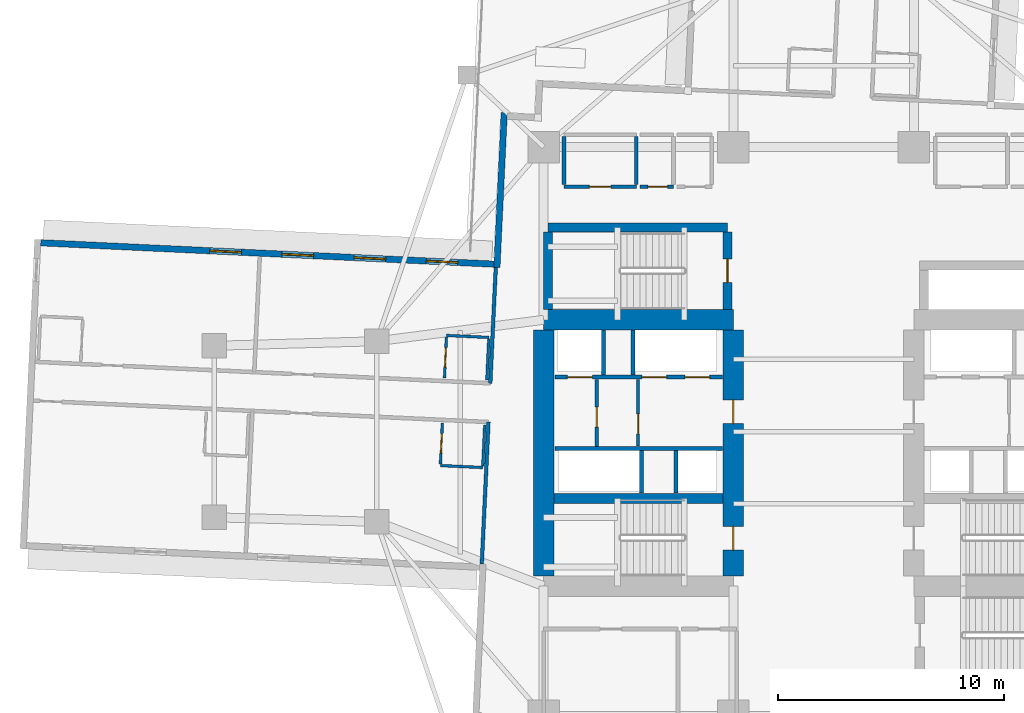
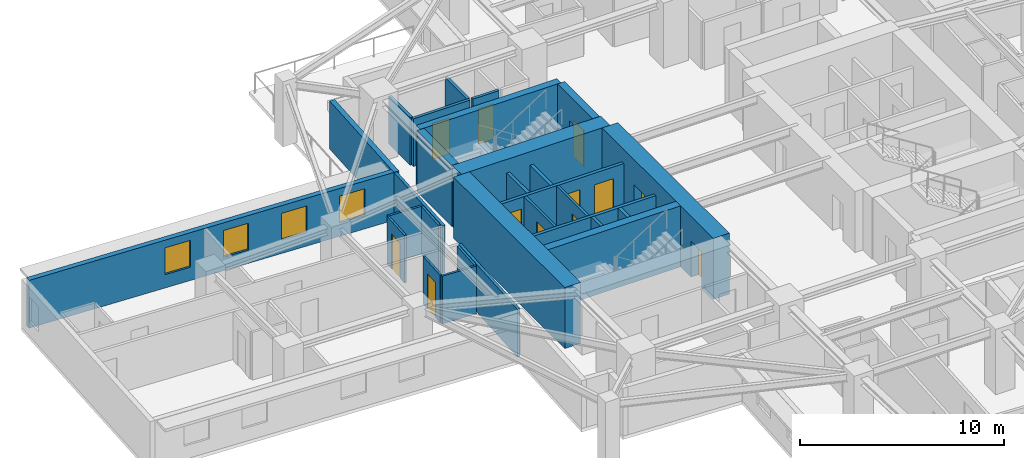
# One storey, part 5 of 13: 29 walls, 12 doors, 4 windows, 16 openings.
"""IFC4 building model written with IfcOpenShell, lengths in metres."""

from ifc_helpers import new_model, si_unit, direction, frame, frame_2d, origin, place, context, subcontext, project, spatial, rectangle, extrude, material, layer, layer_set, type_object, element, fill, save


model = new_model("IFC4")

# Units and contexts
model_context = context("Model", 3, precision=1e-05, world=origin(), true_north=direction((0.0, 1.0)))
body_context = subcontext(model_context, "Body", "Model", "MODEL_VIEW")
ifc_project = project(units=[si_unit("LENGTHUNIT", "METRE"), si_unit("AREAUNIT", "SQUARE_METRE"), si_unit("VOLUMEUNIT", "CUBIC_METRE"), si_unit("PLANEANGLEUNIT", "RADIAN"), si_unit("MASSUNIT", "GRAM", prefix="KILO")], contexts=[model_context])

# Site, building, storey
site_placement = place(None, origin())
site = spatial("IfcSite", under=ifc_project, at=site_placement, CompositionType="ELEMENT")
building_placement = place(site_placement, origin())
building = spatial("IfcBuilding", under=site, at=building_placement, Name="Qingluan Cross Belvedere", CompositionType="ELEMENT")
storey_placement = place(building_placement, frame((0.0, 0.0, 91.199951171875)))
storey = spatial("IfcBuildingStorey", under=building, at=storey_placement, Name="L23", CompositionType="ELEMENT", Elevation=91.199951171875)

# Walls
ifc_material_1 = material(Name="Concrete C50", Category="concrete")
ifc_layer_1 = layer(ifc_material_1, 0.449951171875, Name="CoreShearWall_450")
ifc_layer_set_1 = layer_set([ifc_layer_1], Name="Concrete C50")
wall_type_1 = type_object("IfcWallType", Name="CoreShearWall_450", PredefinedType="SHEAR", material=ifc_layer_set_1)
wall_1_placement = place(storey_placement, frame((-11.945068359375, -2.9599609375, 0.0), z_axis=(0.0, 0.0, 1.0), x_axis=(1.0, 0.0, 0.0)))
element("IfcWall", 1, at=wall_1_placement, inside=storey, type_object=wall_type_1, Name="Split core W shear wall L23-M", PredefinedType="SHEAR", context=body_context, shape_type="SweptSolid", body=[
    extrude(rectangle(XDim=7.489990234375, YDim=0.449951171875, at=frame_2d((3.7451171875, 0.0))), origin(), (0.0, 0.0, 1.0), 3.650146484375),
])
wall_2_placement = place(storey_placement, frame((-12.219970703125, 9.0400390625, 0.0), z_axis=(0.0, 0.0, 1.0), x_axis=(1.0, 0.0, 0.0)))
element("IfcWall", 2, at=wall_2_placement, inside=storey, type_object=wall_type_1, Name="Stair ST3 structural wall N L23", PredefinedType="SHEAR", context=body_context, shape_type="SweptSolid", body=[
    extrude(rectangle(XDim=7.9599609375, YDim=0.39990234375, at=frame_2d((3.97998046875, 0.0))), origin(), (0.0, 0.0, 1.0), 3.650146484375),
])
wall_3_placement = place(storey_placement, frame((-12.219970703125, 5.405029296875, 0.0), z_axis=(0.0, 0.0, 1.0), x_axis=(0.0, 1.0, 0.0)))
element("IfcWall", 3, at=wall_3_placement, inside=storey, type_object=wall_type_1, Name="Stair ST3 structural wall W L23", PredefinedType="SHEAR", context=body_context, shape_type="SweptSolid", body=[
    extrude(rectangle(XDim=3.429931640625, YDim=0.39990234375, at=frame_2d((1.71484375, 0.0))), origin(), (0.0, 0.0, 1.0), 3.650146484375),
])

# Wall, opening, door
wall_4_placement = place(storey_placement, frame((-4.260009765625, 5.405029296875, 0.0), z_axis=(0.0, 0.0, 1.0), x_axis=(0.0, 1.0, 0.0)))
wall_4 = element("IfcWall", 4, at=wall_4_placement, inside=storey, type_object=wall_type_1, Name="Stair ST3 structural wall E L23", PredefinedType="SHEAR", context=body_context, shape_type="SweptSolid", body=[
    extrude(rectangle(XDim=3.429931640625, YDim=0.39990234375, at=frame_2d((1.71484375, 0.0))), origin(), (0.0, 0.0, 1.0), 3.650146484375),
])
opening_1_placement = place(wall_4_placement, frame((1.195068359375, 0.0, 0.0)))
opening_1 = element("IfcOpeningElement", 5, at=opening_1_placement, cuts=wall_4, Name="Opening FD-B11", PredefinedType="OPENING", context=body_context, shape_type="SweptSolid", body=[
    extrude(rectangle(XDim=1.050048828125, YDim=2.14990234375, at=frame_2d((0.52490234375, 1.074951171875))), frame((0.0, 0.2099609375, 0.0), z_axis=(0.0, -1.0, 0.0), x_axis=(1.0, 0.0, 0.0)), (0.0, 0.0, 1.0), 0.419921875),
])
ifc_material_2 = material(Name="Steel Class B smoke-seal fire door", Category="steel")
door_type_1 = type_object("IfcDoorType", Name="StairLobbyFireDoor_FDB", OperationType="NOTDEFINED", PredefinedType="DOOR", material=ifc_material_2)
door_1_placement = place(opening_1_placement, origin())
door_1 = element("IfcDoor", 6, at=door_1_placement, inside=storey, type_object=door_type_1, Name="Smoke-proof stair ST3 fire door L23", OperationType="SINGLE_SWING_RIGHT", OverallHeight=2.14990234375, OverallWidth=1.050048828125, PredefinedType="DOOR", context=body_context, shape_type="SweptSolid", body=[
    extrude(rectangle(XDim=1.050048828125, YDim=2.14990234375, at=frame_2d((0.52490234375, 1.074951171875))), frame((0.0, 0.02490234375, 0.0), z_axis=(0.0, -1.0, 0.0), x_axis=(1.0, 0.0, 0.0)), (0.0, 0.0, 1.0), 0.050048828125),
])
fill(opening_1, door_1)

# Walls
ifc_material_3 = material(Name="Concrete C70", Category="concrete")
ifc_layer_2 = layer(ifc_material_3, 0.89990234375, Name="CoreShearWall_900")
ifc_layer_set_2 = layer_set([ifc_layer_2], Name="Concrete C70")
wall_type_2 = type_object("IfcWallType", Name="CoreShearWall_900", PredefinedType="SHEAR", material=ifc_layer_set_2)
wall_5_placement = place(storey_placement, frame((-12.39990234375, 4.949951171875, 0.0), z_axis=(0.0, 0.0, 1.0), x_axis=(1.0, 0.0, 0.0)))
element("IfcWall", 7, at=wall_5_placement, inside=storey, type_object=wall_type_2, Name="Split core W shear wall L23-N", PredefinedType="SHEAR", context=body_context, shape_type="SweptSolid", body=[
    extrude(rectangle(XDim=8.39990234375, YDim=0.89990234375, at=frame_2d((4.199951171875, 0.0))), origin(), (0.0, 0.0, 1.0), 3.650146484375),
])
wall_6_placement = place(storey_placement, frame((-12.39990234375, -6.39501953125, 0.0), z_axis=(0.0, 0.0, 1.0), x_axis=(0.0, 1.0, 0.0)))
element("IfcWall", 8, at=wall_6_placement, inside=storey, type_object=wall_type_2, Name="Split core W shear wall L23-W", PredefinedType="SHEAR", context=body_context, shape_type="SweptSolid", body=[
    extrude(rectangle(XDim=10.89013671875, YDim=0.89990234375, at=frame_2d((5.445068359375, 0.0))), origin(), (0.0, 0.0, 1.0), 3.650146484375),
])

# Wall, openings, doors
wall_7_placement = place(storey_placement, frame((-4.0, -6.39501953125, 0.0), z_axis=(0.0, 0.0, 1.0), x_axis=(0.0, 1.0, 0.0)))
wall_7 = element("IfcWall", 9, at=wall_7_placement, inside=storey, type_object=wall_type_2, Name="Split core W shear wall L23-E", PredefinedType="SHEAR", context=body_context, shape_type="SweptSolid", body=[
    extrude(rectangle(XDim=10.89013671875, YDim=0.89990234375, at=frame_2d((5.445068359375, 0.0))), origin(), (0.0, 0.0, 1.0), 3.650146484375),
])
opening_2_placement = place(wall_7_placement, frame((1.14501953125, 0.0, 0.0)))
opening_2 = element("IfcOpeningElement", 10, at=opening_2_placement, cuts=wall_7, Name="Opening FD-B11", PredefinedType="OPENING", context=body_context, shape_type="SweptSolid", body=[
    extrude(rectangle(XDim=1.050048828125, YDim=2.14990234375, at=frame_2d((0.52490234375, 1.074951171875))), frame((0.0, 0.4599609375, 0.0), z_axis=(0.0, -1.0, 0.0), x_axis=(1.0, 0.0, 0.0)), (0.0, 0.0, 1.0), 0.919921875),
])
opening_3_placement = place(wall_7_placement, frame((6.7451171875, 0.0, 0.0)))
opening_3 = element("IfcOpeningElement", 11, at=opening_3_placement, cuts=wall_7, Name="Opening FD-B11", PredefinedType="OPENING", context=body_context, shape_type="SweptSolid", body=[
    extrude(rectangle(XDim=1.050048828125, YDim=2.14990234375, at=frame_2d((0.52490234375, 1.074951171875))), frame((0.0, 0.4599609375, 0.0), z_axis=(0.0, -1.0, 0.0), x_axis=(1.0, 0.0, 0.0)), (0.0, 0.0, 1.0), 0.919921875),
])
door_2_placement = place(opening_2_placement, origin())
door_2 = element("IfcDoor", 12, at=door_2_placement, inside=storey, type_object=door_type_1, Name="Smoke-proof stair ST1 fire door L23", OperationType="SINGLE_SWING_RIGHT", OverallHeight=2.14990234375, OverallWidth=1.050048828125, PredefinedType="DOOR", context=body_context, shape_type="SweptSolid", body=[
    extrude(rectangle(XDim=1.050048828125, YDim=2.14990234375, at=frame_2d((0.52490234375, 1.074951171875))), frame((0.0, 0.02490234375, 0.0), z_axis=(0.0, -1.0, 0.0), x_axis=(1.0, 0.0, 0.0)), (0.0, 0.0, 1.0), 0.050048828125),
])
fill(opening_2, door_2)
door_3_placement = place(opening_3_placement, origin())
door_3 = element("IfcDoor", 13, at=door_3_placement, inside=storey, type_object=door_type_1, Name="Firefighting lobby West fire door L23", OperationType="SINGLE_SWING_RIGHT", OverallHeight=2.14990234375, OverallWidth=1.050048828125, PredefinedType="DOOR", context=body_context, shape_type="SweptSolid", body=[
    extrude(rectangle(XDim=1.050048828125, YDim=2.14990234375, at=frame_2d((0.52490234375, 1.074951171875))), frame((0.0, 0.02490234375, 0.0), z_axis=(0.0, -1.0, 0.0), x_axis=(1.0, 0.0, 0.0)), (0.0, 0.0, 1.0), 0.050048828125),
])
fill(opening_3, door_3)

# Wall, opening, door
ifc_material_4 = material(Name="Gypsum plasterboard on steel stud acoustic partition", Category="steel")
ifc_layer_3 = layer(ifc_material_4, 0.159912109375, Name="CorridorPartition_160")
ifc_layer_set_3 = layer_set([ifc_layer_3], Name="Gypsum plasterboard on steel stud acoustic partition")
wall_type_3 = type_object("IfcWallType", Name="CorridorPartition_160", PredefinedType="PARTITIONING", material=ifc_layer_set_3)
wall_8_placement = place(storey_placement, frame((-10.050048828125, -0.652099609375, 0.0), z_axis=(0.0, 0.0, 1.0), x_axis=(0.0, 1.0, 0.0)))
wall_8 = element("IfcWall", 14, at=wall_8_placement, inside=storey, type_object=wall_type_3, Name="Partition L23:wv", PredefinedType="PARTITIONING", context=body_context, shape_type="SweptSolid", body=[
    extrude(rectangle(XDim=2.962158203125, YDim=0.139892578125, at=frame_2d((1.48095703125, 0.0))), origin(), (0.0, 0.0, 1.0), 2.85009765625),
])
opening_4_placement = place(wall_8_placement, frame((0.85009765625, 0.0, 0.0)))
opening_4 = element("IfcOpeningElement", 15, at=opening_4_placement, cuts=wall_8, Name="Opening FD-B10", PredefinedType="OPENING", context=body_context, shape_type="SweptSolid", body=[
    extrude(rectangle(XDim=0.8798828125, YDim=2.10009765625, at=frame_2d((0.43994140625, 1.050048828125))), frame((0.0, 0.079833984375, 0.0), z_axis=(0.0, -1.0, 0.0), x_axis=(1.0, 0.0, 0.0)), (0.0, 0.0, 1.0), 0.159912109375),
])
ifc_material_5 = material(Name="Steel Class B service fire door", Category="steel")
door_type_2 = type_object("IfcDoorType", Name="RiserServiceFireDoor_FDB", OperationType="NOTDEFINED", PredefinedType="DOOR", material=ifc_material_5)
door_4_placement = place(opening_4_placement, origin())
door_4 = element("IfcDoor", 16, at=door_4_placement, inside=storey, type_object=door_type_2, Name="Service closet inner door L23", OperationType="SINGLE_SWING_RIGHT", OverallHeight=2.10009765625, OverallWidth=0.8798828125, PredefinedType="DOOR", context=body_context, shape_type="SweptSolid", body=[
    extrude(rectangle(XDim=0.8798828125, YDim=2.10009765625, at=frame_2d((0.43994140625, 1.050048828125))), frame((0.0, 0.02490234375, 0.0), z_axis=(0.0, -1.0, 0.0), x_axis=(1.0, 0.0, 0.0)), (0.0, 0.0, 1.0), 0.050048828125),
])
fill(opening_4, door_4)

wall_9_placement = place(storey_placement, frame((-11.5, 10.85009765625, 0.0), z_axis=(0.0, 0.0, 1.0), x_axis=(1.0, 0.0, 0.0)))
wall_9 = element("IfcWall", 17, at=wall_9_placement, inside=storey, type_object=wall_type_3, Name="Partition L23:q_nw_occ:S", PredefinedType="PARTITIONING", context=body_context, shape_type="SweptSolid", body=[
    extrude(rectangle(XDim=3.199951171875, YDim=0.159912109375, at=frame_2d((1.60009765625, 0.0))), origin(), (0.0, 0.0, 1.0), 2.85009765625),
])
opening_5_placement = place(wall_9_placement, frame((1.1201171875, 0.0, 0.0)))
opening_5 = element("IfcOpeningElement", 18, at=opening_5_placement, cuts=wall_9, Name="Opening GD-10", PredefinedType="OPENING", context=body_context, shape_type="SweptSolid", body=[
    extrude(rectangle(XDim=0.9599609375, YDim=2.14990234375, at=frame_2d((0.47998046875, 1.074951171875))), frame((0.0, 0.08984375, 0.0), z_axis=(0.0, -1.0, 0.0), x_axis=(1.0, 0.0, 0.0)), (0.0, 0.0, 1.0), 0.179931640625),
])
ifc_material_6 = material(Name="Timber oak fire-rated acoustic guestroom door", Category="wood")
door_type_3 = type_object("IfcDoorType", Name="GuestEntryDoor_FD60", OperationType="NOTDEFINED", PredefinedType="DOOR", material=ifc_material_6)
door_5_placement = place(opening_5_placement, origin())
door_5 = element("IfcDoor", 19, at=door_5_placement, inside=storey, type_object=door_type_3, Name="Northwest corner reading salon L23 door", OperationType="SINGLE_SWING_RIGHT", OverallHeight=2.14990234375, OverallWidth=0.9599609375, PredefinedType="DOOR", context=body_context, shape_type="SweptSolid", body=[
    extrude(rectangle(XDim=0.9599609375, YDim=2.14990234375, at=frame_2d((0.47998046875, 1.074951171875))), frame((0.0, 0.02490234375, 0.0), z_axis=(0.0, -1.0, 0.0), x_axis=(1.0, 0.0, 0.0)), (0.0, 0.0, 1.0), 0.050048828125),
])
fill(opening_5, door_5)

# Walls
for number, where, z_axis, x_axis, name in (
    (20, (-11.5, 10.93505859375, 0.0), (0.0, 0.0, 1.0), (0.0, 1.0, 0.0), "Partition L23:q_nw_occ:W"),
    (21, (-8.300048828125, 10.93505859375, 0.0), (0.0, 0.0, 1.0), (0.0, 1.0, 0.0), "Partition L23:q_nw_occ:E"),
):
    element("IfcWall", number, at=place(storey_placement, frame(where, z_axis=z_axis, x_axis=x_axis)), inside=storey, type_object=wall_type_3, Name=name, PredefinedType="PARTITIONING", context=body_context, shape_type="SweptSolid", body=[
        extrude(rectangle(XDim=2.1298828125, YDim=0.159912109375, at=frame_2d((1.06494140625, 0.0))), origin(), (0.0, 0.0, 1.0), 2.85009765625),
    ])

# Wall, opening, door
wall_10_placement = place(storey_placement, frame((-8.139892578125, 10.85009765625, 0.0), z_axis=(0.0, 0.0, 1.0), x_axis=(1.0, 0.0, 0.0)))
wall_10 = element("IfcWall", 22, at=wall_10_placement, inside=storey, type_object=wall_type_3, Name="Partition L23:hk_linen:S", PredefinedType="PARTITIONING", context=body_context, shape_type="SweptSolid", body=[
    extrude(rectangle(XDim=1.489990234375, YDim=0.159912109375, at=frame_2d((0.7451171875, 0.0))), origin(), (0.0, 0.0, 1.0), 2.85009765625),
])
opening_6_placement = place(wall_10_placement, frame((0.35009765625, 0.0, 0.0)))
opening_6 = element("IfcOpeningElement", 23, at=opening_6_placement, cuts=wall_10, Name="Opening FD-B10", PredefinedType="OPENING", context=body_context, shape_type="SweptSolid", body=[
    extrude(rectangle(XDim=0.8798828125, YDim=2.10009765625, at=frame_2d((0.43994140625, 1.050048828125))), frame((0.0, 0.08984375, 0.0), z_axis=(0.0, -1.0, 0.0), x_axis=(1.0, 0.0, 0.0)), (0.0, 0.0, 1.0), 0.179931640625),
])
door_6_placement = place(opening_6_placement, origin())
door_6 = element("IfcDoor", 24, at=door_6_placement, inside=storey, type_object=door_type_2, Name="Housekeeping and linen store L23 door", OperationType="SINGLE_SWING_LEFT", OverallHeight=2.10009765625, OverallWidth=0.8798828125, PredefinedType="DOOR", context=body_context, shape_type="SweptSolid", body=[
    extrude(rectangle(XDim=0.8798828125, YDim=2.10009765625, at=frame_2d((0.43994140625, 1.050048828125))), frame((0.0, 0.02490234375, 0.0), z_axis=(0.0, -1.0, 0.0), x_axis=(1.0, 0.0, 0.0)), (0.0, 0.0, 1.0), 0.050048828125),
])
fill(opening_6, door_6)

# Walls
wall_11_placement = place(storey_placement, frame((-14.765625, 2.137939453125, 0.0), z_axis=(0.0, 0.0, 1.0), x_axis=(0.047095033298, 0.998890413328, 0.0)))
element("IfcWall", 25, at=wall_11_placement, inside=storey, type_object=wall_type_3, Name="Partition L23:W:s0", PredefinedType="PARTITIONING", context=body_context, shape_type="SweptSolid", body=[
    extrude(rectangle(XDim=5.132080078125, YDim=0.159912109375, at=frame_2d((2.56591796875, 0.0))), origin(), (0.0, 0.0, 1.0), 2.85009765625),
])
wall_12_placement = place(storey_placement, frame((-14.8466796875, 0.419921875, 0.0), z_axis=(0.0, 0.0, 1.0), x_axis=(-0.047104274115, -0.998889977605, 0.0)))
element("IfcWall", 26, at=wall_12_placement, inside=storey, type_object=wall_type_3, Name="Partition L23:W:s1", PredefinedType="PARTITIONING", context=body_context, shape_type="SweptSolid", body=[
    extrude(rectangle(XDim=6.292236328125, YDim=0.159912109375, at=frame_2d((3.14599609375, 0.0))), origin(), (0.0, 0.0, 1.0), 2.85009765625),
])

# Wall, opening, door
ifc_material_7 = material(Name="Moisture-resistant gypsum board lining")
ifc_layer_4 = layer(ifc_material_7, 0.1201171875, Name="EnsuiteWetPartition_120")
ifc_layer_set_4 = layer_set([ifc_layer_4], Name="Moisture-resistant gypsum board lining")
wall_type_4 = type_object("IfcWallType", Name="EnsuiteWetPartition_120", PredefinedType="PARTITIONING", material=ifc_layer_set_4)
wall_13_placement = place(storey_placement, frame((-16.796875, 2.373779296875, 0.0), z_axis=(0.0, 0.0, 1.0), x_axis=(0.047080807099, 0.998891083954, 0.0)))
wall_13 = element("IfcWall", 27, at=wall_13_placement, inside=storey, type_object=wall_type_4, Name="Partition L23:W:bs0_0", PredefinedType="PARTITIONING", context=body_context, shape_type="SweptSolid", body=[
    extrude(rectangle(XDim=1.820068359375, YDim=0.1201171875, at=frame_2d((0.91015625, 0.0))), origin(), (0.0, 0.0, 1.0), 2.85009765625),
])
opening_7_placement = place(wall_13_placement, frame((0.469970703125, 0.0, 0.0)))
opening_7 = element("IfcOpeningElement", 28, at=opening_7_placement, cuts=wall_13, Name="Opening BD-09", PredefinedType="OPENING", context=body_context, shape_type="SweptSolid", body=[
    extrude(rectangle(XDim=0.8798828125, YDim=2.10009765625, at=frame_2d((0.43994140625, 1.050048828125))), frame((0.0, 0.070068359375, 0.0), z_axis=(0.0, -1.0, 0.0), x_axis=(1.0, 0.0, 0.0)), (0.0, 0.0, 1.0), 0.14013671875),
])
ifc_material_8 = material(Name="Moisture-sealed timber en-suite door", Category="wood")
door_type_4 = type_object("IfcDoorType", Name="BathroomDoor_880", OperationType="NOTDEFINED", PredefinedType="DOOR", material=ifc_material_8)
door_7_placement = place(opening_7_placement, origin())
door_7 = element("IfcDoor", 29, at=door_7_placement, inside=storey, type_object=door_type_4, Name="Bathroom door 2305", OperationType="SINGLE_SWING_RIGHT", OverallHeight=2.10009765625, OverallWidth=0.8798828125, PredefinedType="DOOR", context=body_context, shape_type="SweptSolid", body=[
    extrude(rectangle(XDim=0.8798828125, YDim=2.10009765625, at=frame_2d((0.43994140625, 1.050048828125))), frame((0.0, 0.02490234375, 0.0), z_axis=(0.0, -1.0, 0.0), x_axis=(1.0, 0.0, 0.0)), (0.0, 0.0, 1.0), 0.050048828125),
])
fill(opening_7, door_7)

# Walls
wall_14_placement = place(storey_placement, frame((-14.9189453125, 2.285400390625, 0.0), z_axis=(0.0, 0.0, 1.0), x_axis=(0.047087116047, 0.998890786574, 0.0)))
element("IfcWall", 30, at=wall_14_placement, inside=storey, type_object=wall_type_4, Name="Partition L23:W:bw0_0", PredefinedType="PARTITIONING", context=body_context, shape_type="SweptSolid", body=[
    extrude(rectangle(XDim=1.81982421875, YDim=0.1201171875, at=frame_2d((0.909912109375, 0.0))), origin(), (0.0, 0.0, 1.0), 2.85009765625),
])
wall_15_placement = place(storey_placement, frame((-14.830078125, 4.168212890625, 0.0), z_axis=(0.0, 0.0, 1.0), x_axis=(-0.998888319371, 0.047139425368, 0.0)))
element("IfcWall", 31, at=wall_15_placement, inside=storey, type_object=wall_type_4, Name="Partition L23:W:bn0_0", PredefinedType="PARTITIONING", context=body_context, shape_type="SweptSolid", body=[
    extrude(rectangle(XDim=1.880126953125, YDim=0.1201171875, at=frame_2d((0.93994140625, 0.0))), origin(), (0.0, 0.0, 1.0), 2.85009765625),
])

# Wall, opening, door
wall_16_placement = place(storey_placement, frame((-16.976806640625, -1.44189453125, 0.0), z_axis=(0.0, 0.0, 1.0), x_axis=(0.047080807099, 0.998891083954, 0.0)))
wall_16 = element("IfcWall", 32, at=wall_16_placement, inside=storey, type_object=wall_type_4, Name="Partition L23:W:bs1_0", PredefinedType="PARTITIONING", context=body_context, shape_type="SweptSolid", body=[
    extrude(rectangle(XDim=1.820068359375, YDim=0.1201171875, at=frame_2d((0.91015625, 0.0))), origin(), (0.0, 0.0, 1.0), 2.85009765625),
])
opening_8_placement = place(wall_16_placement, frame((0.469970703125, 0.0, 0.0)))
opening_8 = element("IfcOpeningElement", 33, at=opening_8_placement, cuts=wall_16, Name="Opening BD-09", PredefinedType="OPENING", context=body_context, shape_type="SweptSolid", body=[
    extrude(rectangle(XDim=0.8798828125, YDim=2.10009765625, at=frame_2d((0.43994140625, 1.050048828125))), frame((0.0, 0.070068359375, 0.0), z_axis=(0.0, -1.0, 0.0), x_axis=(1.0, 0.0, 0.0)), (0.0, 0.0, 1.0), 0.14013671875),
])
door_8_placement = place(opening_8_placement, origin())
door_8 = element("IfcDoor", 34, at=door_8_placement, inside=storey, type_object=door_type_4, Name="Bathroom door 2307", OperationType="SINGLE_SWING_RIGHT", OverallHeight=2.10009765625, OverallWidth=0.8798828125, PredefinedType="DOOR", context=body_context, shape_type="SweptSolid", body=[
    extrude(rectangle(XDim=0.8798828125, YDim=2.10009765625, at=frame_2d((0.43994140625, 1.050048828125))), frame((0.0, 0.02490234375, 0.0), z_axis=(0.0, -1.0, 0.0), x_axis=(1.0, 0.0, 0.0)), (0.0, 0.0, 1.0), 0.050048828125),
])
fill(opening_8, door_8)

# Walls
wall_17_placement = place(storey_placement, frame((-15.098876953125, -1.530517578125, 0.0), z_axis=(0.0, 0.0, 1.0), x_axis=(0.047080807099, 0.998891083954, 0.0)))
element("IfcWall", 35, at=wall_17_placement, inside=storey, type_object=wall_type_4, Name="Partition L23:W:bw1_0", PredefinedType="PARTITIONING", context=body_context, shape_type="SweptSolid", body=[
    extrude(rectangle(XDim=1.820068359375, YDim=0.1201171875, at=frame_2d((0.91015625, 0.0))), origin(), (0.0, 0.0, 1.0), 2.85009765625),
])
wall_18_placement = place(storey_placement, frame((-15.101806640625, -1.595458984375, 0.0), z_axis=(0.0, 0.0, 1.0), x_axis=(-0.998888319371, 0.047139425368, 0.0)))
element("IfcWall", 36, at=wall_18_placement, inside=storey, type_object=wall_type_4, Name="Partition L23:W:bc1_0", PredefinedType="PARTITIONING", context=body_context, shape_type="SweptSolid", body=[
    extrude(rectangle(XDim=1.880126953125, YDim=0.1201171875, at=frame_2d((0.93994140625, 0.0))), origin(), (0.0, 0.0, 1.0), 2.85009765625),
])

# Wall, openings, windows
ifc_material_9 = material(Name="Precast concrete C45", Category="concrete")
ifc_layer_5 = layer(ifc_material_9, 0.280029296875, Name="PrecastFacadeWall_280")
ifc_layer_set_5 = layer_set([ifc_layer_5], Name="Precast concrete C45")
wall_type_5 = type_object("IfcWallType", Name="PrecastFacadeWall_280", PredefinedType="STANDARD", material=ifc_layer_set_5)
wall_19_placement = place(storey_placement, frame((-14.60693359375, 7.416259765625, 0.0), z_axis=(0.0, 0.0, 1.0), x_axis=(-0.998890015344, 0.047103473814, 0.0)))
wall_19 = element("IfcWall", 37, at=wall_19_placement, inside=storey, type_object=wall_type_5, Name="Facade wall L23-WA", PredefinedType="STANDARD", context=body_context, shape_type="SweptSolid", body=[
    extrude(rectangle(XDim=20.099853515625, YDim=0.280029296875, at=frame_2d((10.0498046875, 0.0))), origin(), (0.0, 0.0, 1.0), 2.860107421875),
])
opening_9_placement = place(wall_19_placement, frame((1.60009765625, 0.0, 0.800048828125)))
opening_9 = element("IfcOpeningElement", 38, at=opening_9_placement, cuts=wall_19, Name="Opening W-01", PredefinedType="OPENING", context=body_context, shape_type="SweptSolid", body=[
    extrude(rectangle(XDim=1.39990234375, YDim=1.60009765625, at=frame_2d((0.699951171875, 0.800048828125))), frame((0.0, 0.14990234375, 0.0), z_axis=(0.0, -1.0, 0.0), x_axis=(1.0, 0.0, 0.0)), (0.0, 0.0, 1.0), 0.300048828125),
])
opening_10_placement = place(wall_19_placement, frame((4.800048828125, 0.0, 0.800048828125)))
opening_10 = element("IfcOpeningElement", 39, at=opening_10_placement, cuts=wall_19, Name="Opening W-01", PredefinedType="OPENING", context=body_context, shape_type="SweptSolid", body=[
    extrude(rectangle(XDim=1.39990234375, YDim=1.60009765625, at=frame_2d((0.699951171875, 0.800048828125))), frame((0.0, 0.14990234375, 0.0), z_axis=(0.0, -1.0, 0.0), x_axis=(1.0, 0.0, 0.0)), (0.0, 0.0, 1.0), 0.300048828125),
])
opening_11_placement = place(wall_19_placement, frame((8.0, 0.0, 0.800048828125)))
opening_11 = element("IfcOpeningElement", 40, at=opening_11_placement, cuts=wall_19, Name="Opening W-01", PredefinedType="OPENING", context=body_context, shape_type="SweptSolid", body=[
    extrude(rectangle(XDim=1.39990234375, YDim=1.60009765625, at=frame_2d((0.699951171875, 0.800048828125))), frame((0.0, 0.14990234375, 0.0), z_axis=(0.0, -1.0, 0.0), x_axis=(1.0, 0.0, 0.0)), (0.0, 0.0, 1.0), 0.300048828125),
])
opening_12_placement = place(wall_19_placement, frame((11.199951171875, 0.0, 0.800048828125)))
opening_12 = element("IfcOpeningElement", 41, at=opening_12_placement, cuts=wall_19, Name="Opening W-01", PredefinedType="OPENING", context=body_context, shape_type="SweptSolid", body=[
    extrude(rectangle(XDim=1.39990234375, YDim=1.60009765625, at=frame_2d((0.699951171875, 0.800048828125))), frame((0.0, 0.14990234375, 0.0), z_axis=(0.0, -1.0, 0.0), x_axis=(1.0, 0.0, 0.0)), (0.0, 0.0, 1.0), 0.300048828125),
])
ifc_material_10 = material(Name="Thermally broken triple Low-E glass in aluminium frame", Category="aluminium")
window_type = type_object("IfcWindowType", Name="TriRibbonWin_1400x1600", PartitioningType="SINGLE_PANEL", PredefinedType="WINDOW", material=ifc_material_10)
window_1_placement = place(opening_9_placement, origin())
window_1 = element("IfcWindow", 42, at=window_1_placement, inside=storey, type_object=window_type, Name="Ribbon window L23-WA-1", OverallHeight=1.60009765625, OverallWidth=1.39990234375, PartitioningType="SINGLE_PANEL", PredefinedType="WINDOW", context=body_context, shape_type="SweptSolid", body=[
    extrude(rectangle(XDim=1.39990234375, YDim=1.60009765625, at=frame_2d((0.699951171875, 0.800048828125))), frame((0.0, 0.030029296875, 0.0), z_axis=(0.0, -1.0, 0.0), x_axis=(1.0, 0.0, 0.0)), (0.0, 0.0, 1.0), 0.06005859375),
])
fill(opening_9, window_1)
window_2_placement = place(opening_10_placement, origin())
window_2 = element("IfcWindow", 43, at=window_2_placement, inside=storey, type_object=window_type, Name="Ribbon window L23-WA-2", OverallHeight=1.60009765625, OverallWidth=1.39990234375, PartitioningType="SINGLE_PANEL", PredefinedType="WINDOW", context=body_context, shape_type="SweptSolid", body=[
    extrude(rectangle(XDim=1.39990234375, YDim=1.60009765625, at=frame_2d((0.699951171875, 0.800048828125))), frame((0.0, 0.030029296875, 0.0), z_axis=(0.0, -1.0, 0.0), x_axis=(1.0, 0.0, 0.0)), (0.0, 0.0, 1.0), 0.06005859375),
])
fill(opening_10, window_2)
window_3_placement = place(opening_11_placement, origin())
window_3 = element("IfcWindow", 44, at=window_3_placement, inside=storey, type_object=window_type, Name="Ribbon window L23-WA-3", OverallHeight=1.60009765625, OverallWidth=1.39990234375, PartitioningType="SINGLE_PANEL", PredefinedType="WINDOW", context=body_context, shape_type="SweptSolid", body=[
    extrude(rectangle(XDim=1.39990234375, YDim=1.60009765625, at=frame_2d((0.699951171875, 0.800048828125))), frame((0.0, 0.030029296875, 0.0), z_axis=(0.0, -1.0, 0.0), x_axis=(1.0, 0.0, 0.0)), (0.0, 0.0, 1.0), 0.06005859375),
])
fill(opening_11, window_3)
window_4_placement = place(opening_12_placement, origin())
window_4 = element("IfcWindow", 45, at=window_4_placement, inside=storey, type_object=window_type, Name="Ribbon window L23-WA-4", OverallHeight=1.60009765625, OverallWidth=1.39990234375, PartitioningType="SINGLE_PANEL", PredefinedType="WINDOW", context=body_context, shape_type="SweptSolid", body=[
    extrude(rectangle(XDim=1.39990234375, YDim=1.60009765625, at=frame_2d((0.699951171875, 0.800048828125))), frame((0.0, 0.030029296875, 0.0), z_axis=(0.0, -1.0, 0.0), x_axis=(1.0, 0.0, 0.0)), (0.0, 0.0, 1.0), 0.06005859375),
])
fill(opening_12, window_4)

# Wall
wall_20_placement = place(storey_placement, frame((-14.4736328125, 7.27001953125, 0.0), z_axis=(0.0, 0.0, 1.0), x_axis=(0.04712043756, 0.998889215261, 0.0)))
element("IfcWall", 46, at=wall_20_placement, inside=storey, type_object=wall_type_5, Name="Corner wall L23-NW1", PredefinedType="STANDARD", context=body_context, shape_type="SweptSolid", body=[
    extrude(rectangle(XDim=6.85986328125, YDim=0.280029296875, at=frame_2d((3.429931640625, 0.0))), origin(), (0.0, 0.0, 1.0), 2.860107421875),
])

# Wall, openings, doors
ifc_material_11 = material(Name="Concrete C40", Category="concrete")
ifc_layer_6 = layer(ifc_material_11, 0.219970703125, Name="ShaftEnclosureWall_250")
ifc_layer_set_6 = layer_set([ifc_layer_6], Name="Concrete C40")
wall_type_6 = type_object("IfcWallType", Name="ShaftEnclosureWall_250", PredefinedType="SOLIDWALL", material=ifc_layer_set_6)
wall_21_placement = place(storey_placement, frame((-11.89990234375, 2.409912109375, 0.0), z_axis=(0.0, 0.0, 1.0), x_axis=(1.0, 0.0, 0.0)))
wall_21 = element("IfcWall", 47, at=wall_21_placement, inside=storey, type_object=wall_type_6, Name="Core-W north hoistway wall L23", PredefinedType="SOLIDWALL", context=body_context, shape_type="SweptSolid", body=[
    extrude(rectangle(XDim=7.419921875, YDim=0.179931640625, at=frame_2d((3.7099609375, 0.0))), origin(), (0.0, 0.0, 1.0), 2.85009765625),
])
opening_13_placement = place(wall_21_placement, frame((0.550048828125, 0.0, 0.0)))
opening_13 = element("IfcOpeningElement", 48, at=opening_13_placement, cuts=wall_21, Name="Opening LD-11", PredefinedType="OPENING", context=body_context, shape_type="SweptSolid", body=[
    extrude(rectangle(XDim=1.10009765625, YDim=2.14990234375, at=frame_2d((0.550048828125, 1.074951171875))), frame((0.0, 0.099853515625, 0.0), z_axis=(0.0, -1.0, 0.0), x_axis=(1.0, 0.0, 0.0)), (0.0, 0.0, 1.0), 0.199951171875),
])
opening_14_placement = place(wall_21_placement, frame((3.85009765625, 0.0, 0.0)))
opening_14 = element("IfcOpeningElement", 49, at=opening_14_placement, cuts=wall_21, Name="Opening LD-11", PredefinedType="OPENING", context=body_context, shape_type="SweptSolid", body=[
    extrude(rectangle(XDim=1.10009765625, YDim=2.14990234375, at=frame_2d((0.550048828125, 1.074951171875))), frame((0.0, 0.099853515625, 0.0), z_axis=(0.0, -1.0, 0.0), x_axis=(1.0, 0.0, 0.0)), (0.0, 0.0, 1.0), 0.199951171875),
])
opening_15_placement = place(wall_21_placement, frame((5.75, 0.0, 0.0)))
opening_15 = element("IfcOpeningElement", 50, at=opening_15_placement, cuts=wall_21, Name="Opening LD-11", PredefinedType="OPENING", context=body_context, shape_type="SweptSolid", body=[
    extrude(rectangle(XDim=1.10009765625, YDim=2.14990234375, at=frame_2d((0.550048828125, 1.074951171875))), frame((0.0, 0.099853515625, 0.0), z_axis=(0.0, -1.0, 0.0), x_axis=(1.0, 0.0, 0.0)), (0.0, 0.0, 1.0), 0.199951171875),
])
ifc_material_12 = material(Name="Brushed stainless steel centre-opening lift landing door", Category="steel")
door_type_5 = type_object("IfcDoorType", Name="LiftLandingSlidingDoor_1100", OperationType="DOUBLE_DOOR_SLIDING", PredefinedType="DOOR", material=ifc_material_12)
door_9_placement = place(opening_13_placement, origin())
door_9 = element("IfcDoor", 51, at=door_9_placement, inside=storey, type_object=door_type_5, Name="Lift landing sliding door FL1 L23", OperationType="DOUBLE_DOOR_SLIDING", OverallHeight=2.14990234375, OverallWidth=1.10009765625, PredefinedType="DOOR", context=body_context, shape_type="SweptSolid", body=[
    extrude(rectangle(XDim=1.10009765625, YDim=2.14990234375, at=frame_2d((0.550048828125, 1.074951171875))), frame((0.0, 0.02490234375, 0.0), z_axis=(0.0, -1.0, 0.0), x_axis=(1.0, 0.0, 0.0)), (0.0, 0.0, 1.0), 0.050048828125),
])
fill(opening_13, door_9)
door_10_placement = place(opening_14_placement, origin())
door_10 = element("IfcDoor", 52, at=door_10_placement, inside=storey, type_object=door_type_5, Name="Lift landing sliding door LP1 L23", OperationType="DOUBLE_DOOR_SLIDING", OverallHeight=2.14990234375, OverallWidth=1.10009765625, PredefinedType="DOOR", context=body_context, shape_type="SweptSolid", body=[
    extrude(rectangle(XDim=1.10009765625, YDim=2.14990234375, at=frame_2d((0.550048828125, 1.074951171875))), frame((0.0, 0.02490234375, 0.0), z_axis=(0.0, -1.0, 0.0), x_axis=(1.0, 0.0, 0.0)), (0.0, 0.0, 1.0), 0.050048828125),
])
fill(opening_14, door_10)
door_11_placement = place(opening_15_placement, origin())
door_11 = element("IfcDoor", 53, at=door_11_placement, inside=storey, type_object=door_type_5, Name="Lift landing sliding door LP2 L23", OperationType="DOUBLE_DOOR_SLIDING", OverallHeight=2.14990234375, OverallWidth=1.10009765625, PredefinedType="DOOR", context=body_context, shape_type="SweptSolid", body=[
    extrude(rectangle(XDim=1.10009765625, YDim=2.14990234375, at=frame_2d((0.550048828125, 1.074951171875))), frame((0.0, 0.02490234375, 0.0), z_axis=(0.0, -1.0, 0.0), x_axis=(1.0, 0.0, 0.0)), (0.0, 0.0, 1.0), 0.050048828125),
])
fill(opening_15, door_11)

# Walls
wall_22_placement = place(storey_placement, frame((-11.89990234375, -0.75, 0.0), z_axis=(0.0, 0.0, 1.0), x_axis=(1.0, 0.0, 0.0)))
element("IfcWall", 54, at=wall_22_placement, inside=storey, type_object=wall_type_6, Name="Core-W mid hoistway wall L23", PredefinedType="SOLIDWALL", context=body_context, shape_type="SweptSolid", body=[
    extrude(rectangle(XDim=7.419921875, YDim=0.179931640625, at=frame_2d((3.7099609375, 0.0))), origin(), (0.0, 0.0, 1.0), 2.85009765625),
])
for number, where, z_axis, x_axis, name in (
    (55, (-9.760009765625, 2.5, 0.0), (0.0, 0.0, 1.0), (0.0, 1.0, 0.0), "Hoistway enclosure divider FL1E L23"),
    (56, (-8.43994140625, 2.5, 0.0), (0.0, 0.0, 1.0), (0.0, 1.0, 0.0), "Hoistway enclosure divider LP1W L23"),
):
    element("IfcWall", number, at=place(storey_placement, frame(where, z_axis=z_axis, x_axis=x_axis)), inside=storey, type_object=wall_type_6, Name=name, PredefinedType="SOLIDWALL", context=body_context, shape_type="SweptSolid", body=[
        extrude(rectangle(XDim=1.989990234375, YDim=0.179931640625, at=frame_2d((0.9951171875, 0.0))), origin(), (0.0, 0.0, 1.0), 2.85009765625),
    ])
for number, where, z_axis, x_axis, name in (
    (57, (-8.06005859375, -2.72998046875, 0.0), (0.0, 0.0, 1.0), (0.0, 1.0, 0.0), "Hoistway enclosure divider LP6E L23"),
    (58, (-6.5400390625, -2.72998046875, 0.0), (0.0, 0.0, 1.0), (0.0, 1.0, 0.0), "Hoistway enclosure divider LP8W L23"),
):
    element("IfcWall", number, at=place(storey_placement, frame(where, z_axis=z_axis, x_axis=x_axis)), inside=storey, type_object=wall_type_6, Name=name, PredefinedType="SOLIDWALL", context=body_context, shape_type="SweptSolid", body=[
        extrude(rectangle(XDim=1.889892578125, YDim=0.179931640625, at=frame_2d((0.94482421875, 0.0))), origin(), (0.0, 0.0, 1.0), 2.85009765625),
    ])

# Wall, opening, door
wall_23_placement = place(storey_placement, frame((-8.219970703125, -0.64990234375, 0.0), z_axis=(0.0, 0.0, 1.0), x_axis=(0.0, 1.0, 0.0)))
wall_23 = element("IfcWall", 59, at=wall_23_placement, inside=storey, type_object=wall_type_6, Name="Core-W service corridor wall L23", PredefinedType="SOLIDWALL", context=body_context, shape_type="SweptSolid", body=[
    extrude(rectangle(XDim=2.9599609375, YDim=0.139892578125, at=frame_2d((1.47998046875, 0.0))), origin(), (0.0, 0.0, 1.0), 2.85009765625),
])
opening_16_placement = place(wall_23_placement, frame((0.550048828125, 0.0, 0.0)))
opening_16 = element("IfcOpeningElement", 60, at=opening_16_placement, cuts=wall_23, Name="Opening FD-B10", PredefinedType="OPENING", context=body_context, shape_type="SweptSolid", body=[
    extrude(rectangle(XDim=0.8798828125, YDim=2.10009765625, at=frame_2d((0.43994140625, 1.050048828125))), frame((0.0, 0.079833984375, 0.0), z_axis=(0.0, -1.0, 0.0), x_axis=(1.0, 0.0, 0.0)), (0.0, 0.0, 1.0), 0.159912109375),
])
door_12_placement = place(opening_16_placement, origin())
door_12 = element("IfcDoor", 61, at=door_12_placement, inside=storey, type_object=door_type_2, Name="Core-W service room door L23", OperationType="SINGLE_SWING_RIGHT", OverallHeight=2.10009765625, OverallWidth=0.8798828125, PredefinedType="DOOR", context=body_context, shape_type="SweptSolid", body=[
    extrude(rectangle(XDim=0.8798828125, YDim=2.10009765625, at=frame_2d((0.43994140625, 1.050048828125))), frame((0.0, 0.02490234375, 0.0), z_axis=(0.0, -1.0, 0.0), x_axis=(1.0, 0.0, 0.0)), (0.0, 0.0, 1.0), 0.050048828125),
])
fill(opening_16, door_12)

save(model, "model.ifc")
